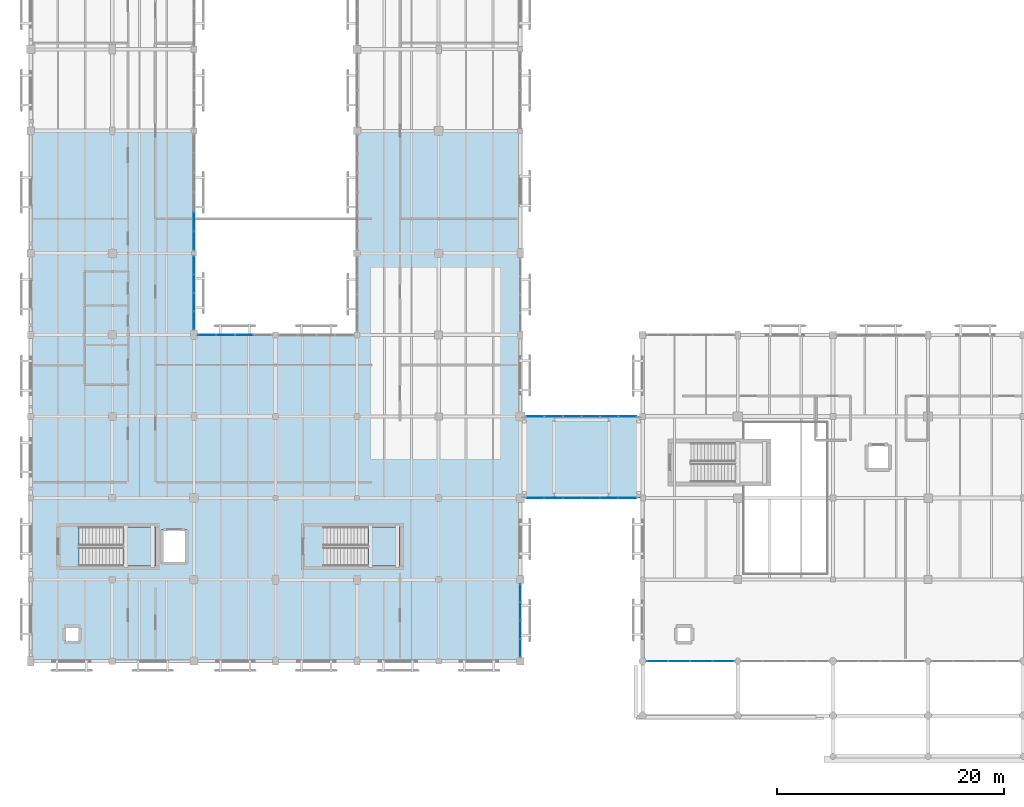
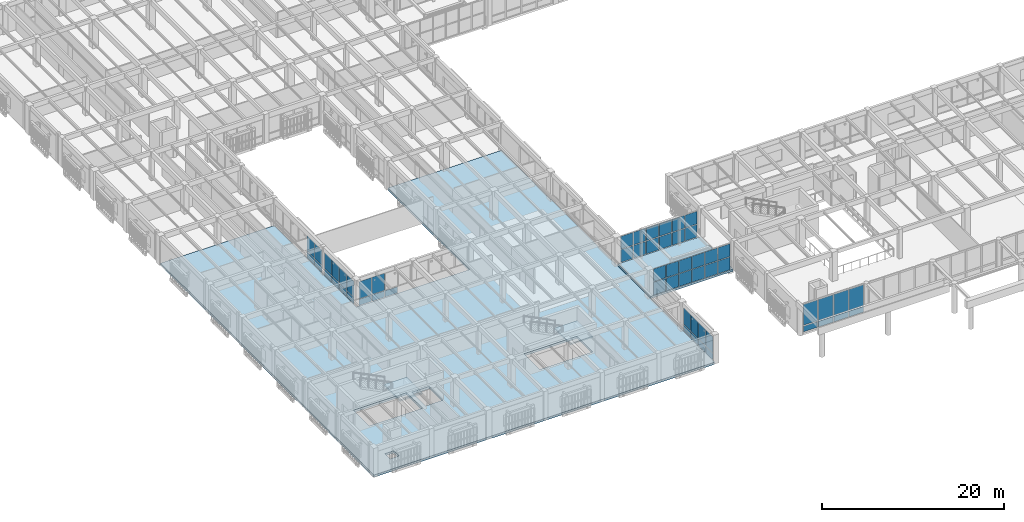
# One storey, part 116 of 170: 57 plates, 4 slabs, 9 elements without a shape of their own.
"""IFC4 building model written with IfcOpenShell, lengths in metres."""

from ifc_helpers import new_model, si_unit, direction, frame, origin, origin_2d, place, context, subcontext, project, spatial, polyline, rectangle, outline, extrude, material, layer, layer_set, type_object, element, aggregate, save


model = new_model("IFC4")

# Units and contexts
model_context = context("Model", 3, precision=1e-05, world=origin(), true_north=direction((0.0, 1.0)))
body_context = subcontext(model_context, "Body", "Model", "MODEL_VIEW")
ifc_project = project(units=[si_unit("LENGTHUNIT", "METRE"), si_unit("AREAUNIT", "SQUARE_METRE"), si_unit("VOLUMEUNIT", "CUBIC_METRE"), si_unit("PLANEANGLEUNIT", "RADIAN"), si_unit("MASSUNIT", "GRAM", prefix="KILO")], contexts=[model_context])

# Site, building, storey
site_placement = place(None, origin())
site = spatial("IfcSite", under=ifc_project, at=site_placement, CompositionType="ELEMENT")
building_placement = place(site_placement, origin())
building = spatial("IfcBuilding", under=site, at=building_placement, Name="Mazaris Harbour Polytechnic", CompositionType="ELEMENT")
storey_placement = place(building_placement, frame((0.0, 0.0, 5.39990234375)))
storey = spatial("IfcBuildingStorey", under=building, at=storey_placement, Name="L01", CompositionType="ELEMENT", Elevation=5.39990234375)

# Slab
ifc_material_1 = material(Name="Glulam GL28h and Concrete C30/37", Category="concrete")
ifc_layer_1 = layer(ifc_material_1, 0.264892578125, Name="Glulam GL28h and Concrete C30/37")
ifc_layer_set_1 = layer_set([ifc_layer_1], Name="Glulam GL28h and Concrete C30/37")
slab_type_1 = type_object("IfcSlabType", Name="CLT Composite Floor 265", PredefinedType="FLOOR", material=ifc_layer_set_1)
slab_1_placement = place(storey_placement, frame((0.0, 0.0, -0.264892578125)))
element("IfcSlab", 1, at=slab_1_placement, inside=storey, type_object=slab_type_1, Name="PB-W1 L01 Bridge Deck", PredefinedType="FLOOR", context=body_context, shape_type="SweptSolid", body=[
    extrude(outline(polyline([(53.85009765625, 21.60009765625), (53.85009765625, 28.800048828125), (43.35009765625, 28.800048828125), (43.35009765625, 21.60009765625), (53.85009765625, 21.60009765625)])), origin(), (0.0, 0.0, 1.0), 0.264892578125),
])

# Curtain wall, plates
ifc_material_2 = material(Name="Anodised Bronze Aluminium and Low-E Glass", Category="aluminium")
ifc_layer_2 = layer(ifc_material_2, 0.139892578125, Name="Anodised Bronze Aluminium and Low-E Glass")
ifc_layer_set_2 = layer_set([ifc_layer_2], Name="Anodised Bronze Aluminium and Low-E Glass")
curtain_wall_type_1 = type_object("IfcCurtainWallType", Name="Seismic Link Bridge Glazing", PredefinedType="NOTDEFINED", material=ifc_layer_set_2)
curtain_wall_1_placement = place(storey_placement, origin())
curtain_wall_1 = element("IfcCurtainWall", 2, at=curtain_wall_1_placement, inside=storey, type_object=curtain_wall_type_1, Name="PB-W1 L01 Bridge Glazing", PredefinedType="NOTDEFINED")
ifc_material_3 = material(Name="Anodised Bronze Insulated Panel")
ifc_layer_3 = layer(ifc_material_3, 0.0419921875, Name="Anodised Bronze Insulated Panel")
ifc_layer_set_3 = layer_set([ifc_layer_3], Name="Anodised Bronze Insulated Panel")
plate_type_1 = type_object("IfcPlateType", Name="Insulated Bronze Spandrel Panel 42", PredefinedType="CURTAIN_PANEL", material=ifc_layer_set_3)
plate_1_placement = place(storey_placement, frame((44.52001953125, 21.60009765625, 0.080078125), z_axis=(0.0, 0.0, 1.0), x_axis=(1.0, 0.0, 0.0)))
plate_1 = element("IfcPlate", 3, at=plate_1_placement, type_object=plate_type_1, Name="CW-05 panel 1.1", PredefinedType="CURTAIN_PANEL", context=body_context, shape_type="SweptSolid", body=[
    extrude(rectangle(XDim=1.52001953125, YDim=0.0419921875, at=origin_2d()), origin(), (0.0, 0.0, 1.0), 1.697509765625),
])
plate_2_placement = place(storey_placement, frame((44.52001953125, 21.60009765625, 1.857421875), z_axis=(0.0, 0.0, 1.0), x_axis=(1.0, 0.0, 0.0)))
plate_2 = element("IfcPlate", 4, at=plate_2_placement, type_object=plate_type_1, Name="CW-05 panel 1.2", PredefinedType="CURTAIN_PANEL", context=body_context, shape_type="SweptSolid", body=[
    extrude(rectangle(XDim=1.52001953125, YDim=0.0419921875, at=origin_2d()), origin(), (0.0, 0.0, 1.0), 1.697509765625),
])
plate_3_placement = place(storey_placement, frame((46.139892578125, 21.60009765625, 0.080078125), z_axis=(0.0, 0.0, 1.0), x_axis=(1.0, 0.0, 0.0)))
plate_3 = element("IfcPlate", 5, at=plate_3_placement, type_object=plate_type_1, Name="CW-05 panel 2.1", PredefinedType="CURTAIN_PANEL", context=body_context, shape_type="SweptSolid", body=[
    extrude(rectangle(XDim=1.56005859375, YDim=0.0419921875, at=origin_2d()), origin(), (0.0, 0.0, 1.0), 1.697509765625),
])
plate_4_placement = place(storey_placement, frame((46.139892578125, 21.60009765625, 1.857421875), z_axis=(0.0, 0.0, 1.0), x_axis=(1.0, 0.0, 0.0)))
plate_4 = element("IfcPlate", 6, at=plate_4_placement, type_object=plate_type_1, Name="CW-05 panel 2.2", PredefinedType="CURTAIN_PANEL", context=body_context, shape_type="SweptSolid", body=[
    extrude(rectangle(XDim=1.56005859375, YDim=0.0419921875, at=origin_2d()), origin(), (0.0, 0.0, 1.0), 1.697509765625),
])
plate_5_placement = place(storey_placement, frame((47.780029296875, 21.60009765625, 0.080078125), z_axis=(0.0, 0.0, 1.0), x_axis=(1.0, 0.0, 0.0)))
plate_5 = element("IfcPlate", 7, at=plate_5_placement, type_object=plate_type_1, Name="CW-05 panel 3.1", PredefinedType="CURTAIN_PANEL", context=body_context, shape_type="SweptSolid", body=[
    extrude(rectangle(XDim=1.56005859375, YDim=0.0419921875, at=origin_2d()), origin(), (0.0, 0.0, 1.0), 1.697509765625),
])
plate_6_placement = place(storey_placement, frame((47.780029296875, 21.60009765625, 1.857421875), z_axis=(0.0, 0.0, 1.0), x_axis=(1.0, 0.0, 0.0)))
plate_6 = element("IfcPlate", 8, at=plate_6_placement, type_object=plate_type_1, Name="CW-05 panel 3.2", PredefinedType="CURTAIN_PANEL", context=body_context, shape_type="SweptSolid", body=[
    extrude(rectangle(XDim=1.56005859375, YDim=0.0419921875, at=origin_2d()), origin(), (0.0, 0.0, 1.0), 1.697509765625),
])
plate_7_placement = place(storey_placement, frame((49.419921875, 21.60009765625, 0.080078125), z_axis=(0.0, 0.0, 1.0), x_axis=(1.0, 0.0, 0.0)))
plate_7 = element("IfcPlate", 9, at=plate_7_placement, type_object=plate_type_1, Name="CW-05 panel 4.1", PredefinedType="CURTAIN_PANEL", context=body_context, shape_type="SweptSolid", body=[
    extrude(rectangle(XDim=1.56005859375, YDim=0.0419921875, at=origin_2d()), origin(), (0.0, 0.0, 1.0), 1.697509765625),
])
plate_8_placement = place(storey_placement, frame((49.419921875, 21.60009765625, 1.857421875), z_axis=(0.0, 0.0, 1.0), x_axis=(1.0, 0.0, 0.0)))
plate_8 = element("IfcPlate", 10, at=plate_8_placement, type_object=plate_type_1, Name="CW-05 panel 4.2", PredefinedType="CURTAIN_PANEL", context=body_context, shape_type="SweptSolid", body=[
    extrude(rectangle(XDim=1.56005859375, YDim=0.0419921875, at=origin_2d()), origin(), (0.0, 0.0, 1.0), 1.697509765625),
])
plate_9_placement = place(storey_placement, frame((51.06005859375, 21.60009765625, 0.080078125), z_axis=(0.0, 0.0, 1.0), x_axis=(1.0, 0.0, 0.0)))
plate_9 = element("IfcPlate", 11, at=plate_9_placement, type_object=plate_type_1, Name="CW-05 panel 5.1", PredefinedType="CURTAIN_PANEL", context=body_context, shape_type="SweptSolid", body=[
    extrude(rectangle(XDim=1.56005859375, YDim=0.0419921875, at=origin_2d()), origin(), (0.0, 0.0, 1.0), 1.697509765625),
])
plate_10_placement = place(storey_placement, frame((51.06005859375, 21.60009765625, 1.857421875), z_axis=(0.0, 0.0, 1.0), x_axis=(1.0, 0.0, 0.0)))
plate_10 = element("IfcPlate", 12, at=plate_10_placement, type_object=plate_type_1, Name="CW-05 panel 5.2", PredefinedType="CURTAIN_PANEL", context=body_context, shape_type="SweptSolid", body=[
    extrude(rectangle(XDim=1.56005859375, YDim=0.0419921875, at=origin_2d()), origin(), (0.0, 0.0, 1.0), 1.697509765625),
])
plate_11_placement = place(storey_placement, frame((52.679931640625, 21.60009765625, 0.080078125), z_axis=(0.0, 0.0, 1.0), x_axis=(1.0, 0.0, 0.0)))
plate_11 = element("IfcPlate", 13, at=plate_11_placement, type_object=plate_type_1, Name="CW-05 panel 6.1", PredefinedType="CURTAIN_PANEL", context=body_context, shape_type="SweptSolid", body=[
    extrude(rectangle(XDim=1.52001953125, YDim=0.0419921875, at=origin_2d()), origin(), (0.0, 0.0, 1.0), 1.697509765625),
])
plate_12_placement = place(storey_placement, frame((52.679931640625, 21.60009765625, 1.857421875), z_axis=(0.0, 0.0, 1.0), x_axis=(1.0, 0.0, 0.0)))
plate_12 = element("IfcPlate", 14, at=plate_12_placement, type_object=plate_type_1, Name="CW-05 panel 6.2", PredefinedType="CURTAIN_PANEL", context=body_context, shape_type="SweptSolid", body=[
    extrude(rectangle(XDim=1.52001953125, YDim=0.0419921875, at=origin_2d()), origin(), (0.0, 0.0, 1.0), 1.697509765625),
])
aggregate(curtain_wall_1, [plate_1, plate_2, plate_3, plate_4, plate_5, plate_6, plate_7, plate_8, plate_9, plate_10, plate_11, plate_12])

ifc_material_4 = material(Name="Anodised Bronze Aluminium and Low-E Glass", Category="aluminium")
ifc_layer_4 = layer(ifc_material_4, 0.179931640625, Name="Anodised Bronze Aluminium and Low-E Glass")
ifc_layer_set_4 = layer_set([ifc_layer_4], Name="Anodised Bronze Aluminium and Low-E Glass")
curtain_wall_type_2 = type_object("IfcCurtainWallType", Name="Harbour Colonnade Curtain Wall", PredefinedType="NOTDEFINED", material=ifc_layer_set_4)
curtain_wall_2_placement = place(storey_placement, origin())
curtain_wall_2 = element("IfcCurtainWall", 15, at=curtain_wall_2_placement, inside=storey, type_object=curtain_wall_type_2, Name="V3 L01 Curtain Wall 68", PredefinedType="NOTDEFINED")
ifc_material_5 = material(Name="Low-E Double Glazing", Category="glass")
ifc_layer_5 = layer(ifc_material_5, 0.028076171875, Name="Low-E Double Glazing")
ifc_layer_set_5 = layer_set([ifc_layer_5], Name="Low-E Double Glazing")
plate_type_2 = type_object("IfcPlateType", Name="Low-E Vision Glass Panel 28", PredefinedType="CURTAIN_PANEL", material=ifc_layer_set_5)
plate_13_placement = place(storey_placement, frame((61.131103515625, 7.199951171875, 0.1201171875), z_axis=(0.0, 0.0, 1.0), x_axis=(-1.0, 0.0, 0.0)))
plate_13 = element("IfcPlate", 16, at=plate_13_placement, type_object=plate_type_2, Name="CW-01 panel 1.1", PredefinedType="CURTAIN_PANEL", context=body_context, shape_type="SweptSolid", body=[
    extrude(rectangle(XDim=1.803955078125, YDim=0.028076171875, at=origin_2d()), origin(), (0.0, 0.0, 1.0), 0.77001953125),
])
plate_14_placement = place(storey_placement, frame((61.131103515625, 7.199951171875, 1.010009765625), z_axis=(0.0, 0.0, 1.0), x_axis=(-1.0, 0.0, 0.0)))
plate_14 = element("IfcPlate", 17, at=plate_14_placement, type_object=plate_type_2, Name="CW-01 panel 1.2", PredefinedType="CURTAIN_PANEL", context=body_context, shape_type="SweptSolid", body=[
    extrude(rectangle(XDim=1.803955078125, YDim=0.028076171875, at=origin_2d()), origin(), (0.0, 0.0, 1.0), 2.7900390625),
])
plate_15_placement = place(storey_placement, frame((59.201904296875, 7.199951171875, 0.1201171875), z_axis=(0.0, 0.0, 1.0), x_axis=(-1.0, 0.0, 0.0)))
plate_15 = element("IfcPlate", 18, at=plate_15_placement, type_object=plate_type_2, Name="CW-01 panel 2.1", PredefinedType="CURTAIN_PANEL", context=body_context, shape_type="SweptSolid", body=[
    extrude(rectangle(XDim=1.85400390625, YDim=0.028076171875, at=origin_2d()), origin(), (0.0, 0.0, 1.0), 0.77001953125),
])
plate_16_placement = place(storey_placement, frame((59.201904296875, 7.199951171875, 1.010009765625), z_axis=(0.0, 0.0, 1.0), x_axis=(-1.0, 0.0, 0.0)))
plate_16 = element("IfcPlate", 19, at=plate_16_placement, type_object=plate_type_2, Name="CW-01 panel 2.2", PredefinedType="CURTAIN_PANEL", context=body_context, shape_type="SweptSolid", body=[
    extrude(rectangle(XDim=1.85400390625, YDim=0.028076171875, at=origin_2d()), origin(), (0.0, 0.0, 1.0), 2.7900390625),
])
plate_17_placement = place(storey_placement, frame((57.248046875, 7.199951171875, 0.1201171875), z_axis=(0.0, 0.0, 1.0), x_axis=(-1.0, 0.0, 0.0)))
plate_17 = element("IfcPlate", 20, at=plate_17_placement, type_object=plate_type_2, Name="CW-01 panel 3.1", PredefinedType="CURTAIN_PANEL", context=body_context, shape_type="SweptSolid", body=[
    extrude(rectangle(XDim=1.85400390625, YDim=0.028076171875, at=origin_2d()), origin(), (0.0, 0.0, 1.0), 0.77001953125),
])
plate_18_placement = place(storey_placement, frame((57.248046875, 7.199951171875, 1.010009765625), z_axis=(0.0, 0.0, 1.0), x_axis=(-1.0, 0.0, 0.0)))
plate_18 = element("IfcPlate", 21, at=plate_18_placement, type_object=plate_type_2, Name="CW-01 panel 3.2", PredefinedType="CURTAIN_PANEL", context=body_context, shape_type="SweptSolid", body=[
    extrude(rectangle(XDim=1.85400390625, YDim=0.028076171875, at=origin_2d()), origin(), (0.0, 0.0, 1.0), 2.7900390625),
])
plate_19_placement = place(storey_placement, frame((55.319091796875, 7.199951171875, 0.1201171875), z_axis=(0.0, 0.0, 1.0), x_axis=(-1.0, 0.0, 0.0)))
plate_19 = element("IfcPlate", 22, at=plate_19_placement, type_object=plate_type_2, Name="CW-01 panel 4.1", PredefinedType="CURTAIN_PANEL", context=body_context, shape_type="SweptSolid", body=[
    extrude(rectangle(XDim=1.803955078125, YDim=0.028076171875, at=origin_2d()), origin(), (0.0, 0.0, 1.0), 0.77001953125),
])
plate_20_placement = place(storey_placement, frame((55.319091796875, 7.199951171875, 1.010009765625), z_axis=(0.0, 0.0, 1.0), x_axis=(-1.0, 0.0, 0.0)))
plate_20 = element("IfcPlate", 23, at=plate_20_placement, type_object=plate_type_2, Name="CW-01 panel 4.2", PredefinedType="CURTAIN_PANEL", context=body_context, shape_type="SweptSolid", body=[
    extrude(rectangle(XDim=1.803955078125, YDim=0.028076171875, at=origin_2d()), origin(), (0.0, 0.0, 1.0), 2.7900390625),
])
aggregate(curtain_wall_2, [plate_13, plate_14, plate_15, plate_16, plate_17, plate_18, plate_19, plate_20])

ifc_material_6 = material(Name="Anodised Bronze Aluminium and Low-E Glass", Category="aluminium")
ifc_layer_6 = layer(ifc_material_6, 0.159912109375, Name="Anodised Bronze Aluminium and Low-E Glass")
ifc_layer_set_6 = layer_set([ifc_layer_6], Name="Anodised Bronze Aluminium and Low-E Glass")
curtain_wall_type_3 = type_object("IfcCurtainWallType", Name="Cloister Court Curtain Wall", PredefinedType="NOTDEFINED", material=ifc_layer_set_6)
curtain_wall_3_placement = place(storey_placement, origin())
curtain_wall_3 = element("IfcCurtainWall", 24, at=curtain_wall_3_placement, inside=storey, type_object=curtain_wall_type_3, Name="V4 L01 Curtain Wall 111", PredefinedType="NOTDEFINED")
plate_21_placement = place(storey_placement, frame((43.199951171875, 13.220458984375, 0.080078125), z_axis=(0.0, 0.0, 1.0), x_axis=(0.0, -1.0, 0.0)))
plate_21 = element("IfcPlate", 25, at=plate_21_placement, type_object=plate_type_2, Name="CW-02 panel 1.1", PredefinedType="CURTAIN_PANEL", context=body_context, shape_type="SweptSolid", body=[
    extrude(rectangle(XDim=1.51513671875, YDim=0.028076171875, at=origin_2d()), origin(), (0.0, 0.0, 1.0), 0.830078125),
])
plate_22_placement = place(storey_placement, frame((43.199951171875, 13.220458984375, 0.990234375), z_axis=(0.0, 0.0, 1.0), x_axis=(0.0, -1.0, 0.0)))
plate_22 = element("IfcPlate", 26, at=plate_22_placement, type_object=plate_type_2, Name="CW-02 panel 1.2", PredefinedType="CURTAIN_PANEL", context=body_context, shape_type="SweptSolid", body=[
    extrude(rectangle(XDim=1.51513671875, YDim=0.028076171875, at=origin_2d()), origin(), (0.0, 0.0, 1.0), 2.169921875),
])
plate_23_placement = place(storey_placement, frame((43.199951171875, 11.605224609375, 0.080078125), z_axis=(0.0, 0.0, 1.0), x_axis=(0.0, -1.0, 0.0)))
plate_23 = element("IfcPlate", 27, at=plate_23_placement, type_object=plate_type_2, Name="CW-02 panel 2.1", PredefinedType="CURTAIN_PANEL", context=body_context, shape_type="SweptSolid", body=[
    extrude(rectangle(XDim=1.55517578125, YDim=0.028076171875, at=origin_2d()), origin(), (0.0, 0.0, 1.0), 0.830078125),
])
plate_24_placement = place(storey_placement, frame((43.199951171875, 11.605224609375, 0.990234375), z_axis=(0.0, 0.0, 1.0), x_axis=(0.0, -1.0, 0.0)))
plate_24 = element("IfcPlate", 28, at=plate_24_placement, type_object=plate_type_2, Name="CW-02 panel 2.2", PredefinedType="CURTAIN_PANEL", context=body_context, shape_type="SweptSolid", body=[
    extrude(rectangle(XDim=1.55517578125, YDim=0.028076171875, at=origin_2d()), origin(), (0.0, 0.0, 1.0), 2.169921875),
])
plate_25_placement = place(storey_placement, frame((43.199951171875, 9.969970703125, 0.080078125), z_axis=(0.0, 0.0, 1.0), x_axis=(0.0, -1.0, 0.0)))
plate_25 = element("IfcPlate", 29, at=plate_25_placement, type_object=plate_type_2, Name="CW-02 panel 3.1", PredefinedType="CURTAIN_PANEL", context=body_context, shape_type="SweptSolid", body=[
    extrude(rectangle(XDim=1.55517578125, YDim=0.028076171875, at=origin_2d()), origin(), (0.0, 0.0, 1.0), 0.830078125),
])
plate_26_placement = place(storey_placement, frame((43.199951171875, 9.969970703125, 0.990234375), z_axis=(0.0, 0.0, 1.0), x_axis=(0.0, -1.0, 0.0)))
plate_26 = element("IfcPlate", 30, at=plate_26_placement, type_object=plate_type_2, Name="CW-02 panel 3.2", PredefinedType="CURTAIN_PANEL", context=body_context, shape_type="SweptSolid", body=[
    extrude(rectangle(XDim=1.55517578125, YDim=0.028076171875, at=origin_2d()), origin(), (0.0, 0.0, 1.0), 2.169921875),
])
plate_27_placement = place(storey_placement, frame((43.199951171875, 8.354736328125, 0.080078125), z_axis=(0.0, 0.0, 1.0), x_axis=(0.0, -1.0, 0.0)))
plate_27 = element("IfcPlate", 31, at=plate_27_placement, type_object=plate_type_2, Name="CW-02 panel 4.1", PredefinedType="CURTAIN_PANEL", context=body_context, shape_type="SweptSolid", body=[
    extrude(rectangle(XDim=1.51513671875, YDim=0.028076171875, at=origin_2d()), origin(), (0.0, 0.0, 1.0), 0.830078125),
])
plate_28_placement = place(storey_placement, frame((43.199951171875, 8.354736328125, 0.990234375), z_axis=(0.0, 0.0, 1.0), x_axis=(0.0, -1.0, 0.0)))
plate_28 = element("IfcPlate", 32, at=plate_28_placement, type_object=plate_type_2, Name="CW-02 panel 4.2", PredefinedType="CURTAIN_PANEL", context=body_context, shape_type="SweptSolid", body=[
    extrude(rectangle(XDim=1.51513671875, YDim=0.028076171875, at=origin_2d()), origin(), (0.0, 0.0, 1.0), 2.169921875),
])
aggregate(curtain_wall_3, [plate_21, plate_22, plate_23, plate_24, plate_25, plate_26, plate_27, plate_28])

curtain_wall_4_placement = place(storey_placement, origin())
curtain_wall_4 = element("IfcCurtainWall", 33, at=curtain_wall_4_placement, inside=storey, type_object=curtain_wall_type_3, Name="V4 L01 Curtain Wall 116", PredefinedType="NOTDEFINED")
plate_29_placement = place(storey_placement, frame((15.542236328125, 36.0, 0.080078125), z_axis=(0.0, 0.0, 1.0), x_axis=(1.0, 0.0, 0.0)))
plate_29 = element("IfcPlate", 34, at=plate_29_placement, type_object=plate_type_2, Name="CW-02 panel 1.1", PredefinedType="CURTAIN_PANEL", context=body_context, shape_type="SweptSolid", body=[
    extrude(rectangle(XDim=1.540283203125, YDim=0.028076171875, at=origin_2d()), origin(), (0.0, 0.0, 1.0), 0.830078125),
])
plate_30_placement = place(storey_placement, frame((15.542236328125, 36.0, 0.989990234375), z_axis=(0.0, 0.0, 1.0), x_axis=(1.0, 0.0, 0.0)))
plate_30 = element("IfcPlate", 35, at=plate_30_placement, type_object=plate_type_2, Name="CW-02 panel 1.2", PredefinedType="CURTAIN_PANEL", context=body_context, shape_type="SweptSolid", body=[
    extrude(rectangle(XDim=1.540283203125, YDim=0.028076171875, at=origin_2d()), origin(), (0.0, 0.0, 1.0), 2.2900390625),
])
plate_31_placement = place(storey_placement, frame((17.182373046875, 36.0, 0.080078125), z_axis=(0.0, 0.0, 1.0), x_axis=(1.0, 0.0, 0.0)))
plate_31 = element("IfcPlate", 36, at=plate_31_placement, type_object=plate_type_2, Name="CW-02 panel 2.1", PredefinedType="CURTAIN_PANEL", context=body_context, shape_type="SweptSolid", body=[
    extrude(rectangle(XDim=1.580322265625, YDim=0.028076171875, at=origin_2d()), origin(), (0.0, 0.0, 1.0), 0.830078125),
])
plate_32_placement = place(storey_placement, frame((17.182373046875, 36.0, 0.989990234375), z_axis=(0.0, 0.0, 1.0), x_axis=(1.0, 0.0, 0.0)))
plate_32 = element("IfcPlate", 37, at=plate_32_placement, type_object=plate_type_2, Name="CW-02 panel 2.2", PredefinedType="CURTAIN_PANEL", context=body_context, shape_type="SweptSolid", body=[
    extrude(rectangle(XDim=1.580322265625, YDim=0.028076171875, at=origin_2d()), origin(), (0.0, 0.0, 1.0), 2.2900390625),
])
plate_33_placement = place(storey_placement, frame((18.842529296875, 36.0, 0.080078125), z_axis=(0.0, 0.0, 1.0), x_axis=(1.0, 0.0, 0.0)))
plate_33 = element("IfcPlate", 38, at=plate_33_placement, type_object=plate_type_2, Name="CW-02 panel 3.1", PredefinedType="CURTAIN_PANEL", context=body_context, shape_type="SweptSolid", body=[
    extrude(rectangle(XDim=1.580322265625, YDim=0.028076171875, at=origin_2d()), origin(), (0.0, 0.0, 1.0), 0.830078125),
])
aggregate(curtain_wall_4, [plate_29, plate_30, plate_31, plate_32, plate_33])

curtain_wall_5_placement = place(storey_placement, origin())
curtain_wall_5 = element("IfcCurtainWall", 39, at=curtain_wall_5_placement, inside=storey, type_object=curtain_wall_type_3, Name="V4 L01 Curtain Wall 120", PredefinedType="NOTDEFINED")
plate_34_placement = place(storey_placement, frame((14.39990234375, 37.2578125, 0.080078125), z_axis=(0.0, 0.0, 1.0), x_axis=(0.0, 1.0, 0.0)))
plate_34 = element("IfcPlate", 40, at=plate_34_placement, type_object=plate_type_2, Name="CW-02 panel 1.1", PredefinedType="CURTAIN_PANEL", context=body_context, shape_type="SweptSolid", body=[
    extrude(rectangle(XDim=1.521484375, YDim=0.028076171875, at=origin_2d()), origin(), (0.0, 0.0, 1.0), 0.830078125),
])
plate_35_placement = place(storey_placement, frame((14.39990234375, 37.2578125, 0.990234375), z_axis=(0.0, 0.0, 1.0), x_axis=(0.0, 1.0, 0.0)))
plate_35 = element("IfcPlate", 41, at=plate_35_placement, type_object=plate_type_2, Name="CW-02 panel 1.2", PredefinedType="CURTAIN_PANEL", context=body_context, shape_type="SweptSolid", body=[
    extrude(rectangle(XDim=1.521484375, YDim=0.028076171875, at=origin_2d()), origin(), (0.0, 0.0, 1.0), 2.1298828125),
])
plate_36_placement = place(storey_placement, frame((14.39990234375, 38.879150390625, 0.080078125), z_axis=(0.0, 0.0, 1.0), x_axis=(0.0, 1.0, 0.0)))
plate_36 = element("IfcPlate", 42, at=plate_36_placement, type_object=plate_type_2, Name="CW-02 panel 2.1", PredefinedType="CURTAIN_PANEL", context=body_context, shape_type="SweptSolid", body=[
    extrude(rectangle(XDim=1.5615234375, YDim=0.028076171875, at=origin_2d()), origin(), (0.0, 0.0, 1.0), 0.830078125),
])
plate_37_placement = place(storey_placement, frame((14.39990234375, 38.879150390625, 0.990234375), z_axis=(0.0, 0.0, 1.0), x_axis=(0.0, 1.0, 0.0)))
plate_37 = element("IfcPlate", 43, at=plate_37_placement, type_object=plate_type_2, Name="CW-02 panel 2.2", PredefinedType="CURTAIN_PANEL", context=body_context, shape_type="SweptSolid", body=[
    extrude(rectangle(XDim=1.5615234375, YDim=0.028076171875, at=origin_2d()), origin(), (0.0, 0.0, 1.0), 2.1298828125),
])
plate_38_placement = place(storey_placement, frame((14.39990234375, 40.520751953125, 0.080078125), z_axis=(0.0, 0.0, 1.0), x_axis=(0.0, 1.0, 0.0)))
plate_38 = element("IfcPlate", 44, at=plate_38_placement, type_object=plate_type_2, Name="CW-02 panel 3.1", PredefinedType="CURTAIN_PANEL", context=body_context, shape_type="SweptSolid", body=[
    extrude(rectangle(XDim=1.5615234375, YDim=0.028076171875, at=origin_2d()), origin(), (0.0, 0.0, 1.0), 0.830078125),
])
plate_39_placement = place(storey_placement, frame((14.39990234375, 40.520751953125, 0.990234375), z_axis=(0.0, 0.0, 1.0), x_axis=(0.0, 1.0, 0.0)))
plate_39 = element("IfcPlate", 45, at=plate_39_placement, type_object=plate_type_2, Name="CW-02 panel 3.2", PredefinedType="CURTAIN_PANEL", context=body_context, shape_type="SweptSolid", body=[
    extrude(rectangle(XDim=1.5615234375, YDim=0.028076171875, at=origin_2d()), origin(), (0.0, 0.0, 1.0), 2.1298828125),
])
plate_40_placement = place(storey_placement, frame((14.39990234375, 42.142333984375, 0.080078125), z_axis=(0.0, 0.0, 1.0), x_axis=(0.0, 1.0, 0.0)))
plate_40 = element("IfcPlate", 46, at=plate_40_placement, type_object=plate_type_2, Name="CW-02 panel 4.1", PredefinedType="CURTAIN_PANEL", context=body_context, shape_type="SweptSolid", body=[
    extrude(rectangle(XDim=1.521484375, YDim=0.028076171875, at=origin_2d()), origin(), (0.0, 0.0, 1.0), 0.830078125),
])
plate_41_placement = place(storey_placement, frame((14.39990234375, 42.142333984375, 0.990234375), z_axis=(0.0, 0.0, 1.0), x_axis=(0.0, 1.0, 0.0)))
plate_41 = element("IfcPlate", 47, at=plate_41_placement, type_object=plate_type_2, Name="CW-02 panel 4.2", PredefinedType="CURTAIN_PANEL", context=body_context, shape_type="SweptSolid", body=[
    extrude(rectangle(XDim=1.521484375, YDim=0.028076171875, at=origin_2d()), origin(), (0.0, 0.0, 1.0), 2.1298828125),
])
aggregate(curtain_wall_5, [plate_34, plate_35, plate_36, plate_37, plate_38, plate_39, plate_40, plate_41])

curtain_wall_6_placement = place(storey_placement, origin())
curtain_wall_6 = element("IfcCurtainWall", 48, at=curtain_wall_6_placement, inside=storey, type_object=curtain_wall_type_3, Name="V4 L01 Curtain Wall 121", PredefinedType="NOTDEFINED")
plate_42_placement = place(storey_placement, frame((14.39990234375, 44.298828125, 0.080078125), z_axis=(0.0, 0.0, 1.0), x_axis=(0.0, 1.0, 0.0)))
plate_42 = element("IfcPlate", 49, at=plate_42_placement, type_object=plate_type_2, Name="CW-02 panel 1.1", PredefinedType="CURTAIN_PANEL", context=body_context, shape_type="SweptSolid", body=[
    extrude(rectangle(XDim=1.603515625, YDim=0.028076171875, at=origin_2d()), origin(), (0.0, 0.0, 1.0), 0.830078125),
])
plate_43_placement = place(storey_placement, frame((14.39990234375, 44.298828125, 0.990234375), z_axis=(0.0, 0.0, 1.0), x_axis=(0.0, 1.0, 0.0)))
plate_43 = element("IfcPlate", 50, at=plate_43_placement, type_object=plate_type_2, Name="CW-02 panel 1.2", PredefinedType="CURTAIN_PANEL", context=body_context, shape_type="SweptSolid", body=[
    extrude(rectangle(XDim=1.603515625, YDim=0.028076171875, at=origin_2d()), origin(), (0.0, 0.0, 1.0), 2.070068359375),
])
plate_44_placement = place(storey_placement, frame((14.39990234375, 46.002197265625, 0.080078125), z_axis=(0.0, 0.0, 1.0), x_axis=(0.0, 1.0, 0.0)))
plate_44 = element("IfcPlate", 51, at=plate_44_placement, type_object=plate_type_2, Name="CW-02 panel 2.1", PredefinedType="CURTAIN_PANEL", context=body_context, shape_type="SweptSolid", body=[
    extrude(rectangle(XDim=1.6435546875, YDim=0.028076171875, at=origin_2d()), origin(), (0.0, 0.0, 1.0), 0.830078125),
])
plate_45_placement = place(storey_placement, frame((14.39990234375, 46.002197265625, 0.990234375), z_axis=(0.0, 0.0, 1.0), x_axis=(0.0, 1.0, 0.0)))
plate_45 = element("IfcPlate", 52, at=plate_45_placement, type_object=plate_type_2, Name="CW-02 panel 2.2", PredefinedType="CURTAIN_PANEL", context=body_context, shape_type="SweptSolid", body=[
    extrude(rectangle(XDim=1.6435546875, YDim=0.028076171875, at=origin_2d()), origin(), (0.0, 0.0, 1.0), 2.070068359375),
])
aggregate(curtain_wall_6, [plate_42, plate_43, plate_44, plate_45])

curtain_wall_7_placement = place(storey_placement, origin())
curtain_wall_7 = element("IfcCurtainWall", 53, at=curtain_wall_7_placement, inside=storey, type_object=curtain_wall_type_1, Name="PB-W1 L01 Bridge Glazing", PredefinedType="NOTDEFINED")
plate_46_placement = place(storey_placement, frame((52.679931640625, 28.800048828125, 0.080078125), z_axis=(0.0, 0.0, 1.0), x_axis=(-1.0, 0.0, 0.0)))
plate_46 = element("IfcPlate", 54, at=plate_46_placement, type_object=plate_type_2, Name="CW-05 panel 1.1", PredefinedType="CURTAIN_PANEL", context=body_context, shape_type="SweptSolid", body=[
    extrude(rectangle(XDim=1.52001953125, YDim=0.028076171875, at=origin_2d()), origin(), (0.0, 0.0, 1.0), 1.697509765625),
])
plate_47_placement = place(storey_placement, frame((52.679931640625, 28.800048828125, 1.857421875), z_axis=(0.0, 0.0, 1.0), x_axis=(-1.0, 0.0, 0.0)))
plate_47 = element("IfcPlate", 55, at=plate_47_placement, type_object=plate_type_2, Name="CW-05 panel 1.2", PredefinedType="CURTAIN_PANEL", context=body_context, shape_type="SweptSolid", body=[
    extrude(rectangle(XDim=1.52001953125, YDim=0.028076171875, at=origin_2d()), origin(), (0.0, 0.0, 1.0), 1.697509765625),
])
plate_48_placement = place(storey_placement, frame((51.06005859375, 28.800048828125, 0.080078125), z_axis=(0.0, 0.0, 1.0), x_axis=(-1.0, 0.0, 0.0)))
plate_48 = element("IfcPlate", 56, at=plate_48_placement, type_object=plate_type_2, Name="CW-05 panel 2.1", PredefinedType="CURTAIN_PANEL", context=body_context, shape_type="SweptSolid", body=[
    extrude(rectangle(XDim=1.56005859375, YDim=0.028076171875, at=origin_2d()), origin(), (0.0, 0.0, 1.0), 1.697509765625),
])
plate_49_placement = place(storey_placement, frame((51.06005859375, 28.800048828125, 1.857421875), z_axis=(0.0, 0.0, 1.0), x_axis=(-1.0, 0.0, 0.0)))
plate_49 = element("IfcPlate", 57, at=plate_49_placement, type_object=plate_type_2, Name="CW-05 panel 2.2", PredefinedType="CURTAIN_PANEL", context=body_context, shape_type="SweptSolid", body=[
    extrude(rectangle(XDim=1.56005859375, YDim=0.028076171875, at=origin_2d()), origin(), (0.0, 0.0, 1.0), 1.697509765625),
])
plate_50_placement = place(storey_placement, frame((49.419921875, 28.800048828125, 0.080078125), z_axis=(0.0, 0.0, 1.0), x_axis=(-1.0, 0.0, 0.0)))
plate_50 = element("IfcPlate", 58, at=plate_50_placement, type_object=plate_type_2, Name="CW-05 panel 3.1", PredefinedType="CURTAIN_PANEL", context=body_context, shape_type="SweptSolid", body=[
    extrude(rectangle(XDim=1.56005859375, YDim=0.028076171875, at=origin_2d()), origin(), (0.0, 0.0, 1.0), 1.697509765625),
])
plate_51_placement = place(storey_placement, frame((49.419921875, 28.800048828125, 1.857421875), z_axis=(0.0, 0.0, 1.0), x_axis=(-1.0, 0.0, 0.0)))
plate_51 = element("IfcPlate", 59, at=plate_51_placement, type_object=plate_type_2, Name="CW-05 panel 3.2", PredefinedType="CURTAIN_PANEL", context=body_context, shape_type="SweptSolid", body=[
    extrude(rectangle(XDim=1.56005859375, YDim=0.028076171875, at=origin_2d()), origin(), (0.0, 0.0, 1.0), 1.697509765625),
])
plate_52_placement = place(storey_placement, frame((47.780029296875, 28.800048828125, 0.080078125), z_axis=(0.0, 0.0, 1.0), x_axis=(-1.0, 0.0, 0.0)))
plate_52 = element("IfcPlate", 60, at=plate_52_placement, type_object=plate_type_2, Name="CW-05 panel 4.1", PredefinedType="CURTAIN_PANEL", context=body_context, shape_type="SweptSolid", body=[
    extrude(rectangle(XDim=1.56005859375, YDim=0.028076171875, at=origin_2d()), origin(), (0.0, 0.0, 1.0), 1.697509765625),
])
plate_53_placement = place(storey_placement, frame((47.780029296875, 28.800048828125, 1.857421875), z_axis=(0.0, 0.0, 1.0), x_axis=(-1.0, 0.0, 0.0)))
plate_53 = element("IfcPlate", 61, at=plate_53_placement, type_object=plate_type_2, Name="CW-05 panel 4.2", PredefinedType="CURTAIN_PANEL", context=body_context, shape_type="SweptSolid", body=[
    extrude(rectangle(XDim=1.56005859375, YDim=0.028076171875, at=origin_2d()), origin(), (0.0, 0.0, 1.0), 1.697509765625),
])
plate_54_placement = place(storey_placement, frame((46.139892578125, 28.800048828125, 0.080078125), z_axis=(0.0, 0.0, 1.0), x_axis=(-1.0, 0.0, 0.0)))
plate_54 = element("IfcPlate", 62, at=plate_54_placement, type_object=plate_type_2, Name="CW-05 panel 5.1", PredefinedType="CURTAIN_PANEL", context=body_context, shape_type="SweptSolid", body=[
    extrude(rectangle(XDim=1.56005859375, YDim=0.028076171875, at=origin_2d()), origin(), (0.0, 0.0, 1.0), 1.697509765625),
])
plate_55_placement = place(storey_placement, frame((46.139892578125, 28.800048828125, 1.857421875), z_axis=(0.0, 0.0, 1.0), x_axis=(-1.0, 0.0, 0.0)))
plate_55 = element("IfcPlate", 63, at=plate_55_placement, type_object=plate_type_2, Name="CW-05 panel 5.2", PredefinedType="CURTAIN_PANEL", context=body_context, shape_type="SweptSolid", body=[
    extrude(rectangle(XDim=1.56005859375, YDim=0.028076171875, at=origin_2d()), origin(), (0.0, 0.0, 1.0), 1.697509765625),
])
plate_56_placement = place(storey_placement, frame((44.52001953125, 28.800048828125, 0.080078125), z_axis=(0.0, 0.0, 1.0), x_axis=(-1.0, 0.0, 0.0)))
plate_56 = element("IfcPlate", 64, at=plate_56_placement, type_object=plate_type_2, Name="CW-05 panel 6.1", PredefinedType="CURTAIN_PANEL", context=body_context, shape_type="SweptSolid", body=[
    extrude(rectangle(XDim=1.52001953125, YDim=0.028076171875, at=origin_2d()), origin(), (0.0, 0.0, 1.0), 1.697509765625),
])
plate_57_placement = place(storey_placement, frame((44.52001953125, 28.800048828125, 1.857421875), z_axis=(0.0, 0.0, 1.0), x_axis=(-1.0, 0.0, 0.0)))
plate_57 = element("IfcPlate", 65, at=plate_57_placement, type_object=plate_type_2, Name="CW-05 panel 6.2", PredefinedType="CURTAIN_PANEL", context=body_context, shape_type="SweptSolid", body=[
    extrude(rectangle(XDim=1.52001953125, YDim=0.028076171875, at=origin_2d()), origin(), (0.0, 0.0, 1.0), 1.697509765625),
])
aggregate(curtain_wall_7, [plate_46, plate_47, plate_48, plate_49, plate_50, plate_51, plate_52, plate_53, plate_54, plate_55, plate_56, plate_57])

# Slab
ifc_material_7 = material(Name="Concrete C35/45", Category="concrete")
ifc_layer_7 = layer(ifc_material_7, 0.300048828125, Name="Concrete C35/45")
ifc_layer_set_7 = layer_set([ifc_layer_7], Name="Concrete C35/45")
slab_type_2 = type_object("IfcSlabType", Name="RC Podium Slab 300", PredefinedType="FLOOR", material=ifc_layer_set_7)
slab_2_placement = place(storey_placement, frame((0.0, 0.0, -0.2998046875)))
element("IfcSlab", 66, at=slab_2_placement, inside=storey, type_object=slab_type_2, Name="V4 L01 Floor Slab", PredefinedType="FLOOR", context=body_context, shape_type="SweptSolid", body=[
    extrude(outline(polyline([(43.199951171875, 7.199951171875), (0.0, 7.199951171875), (0.0, 54.0), (14.39990234375, 54.0), (14.39990234375, 36.0), (28.800048828125, 36.0), (28.800048828125, 54.0), (43.199951171875, 54.0), (43.199951171875, 7.199951171875)]), holes=[polyline([(4.27490234375, 15.60009765625), (11.0, 15.60009765625), (11.0, 19.050048828125), (4.27490234375, 19.050048828125), (4.27490234375, 15.60009765625)]), polyline([(25.875, 19.050048828125), (25.875, 15.60009765625), (32.60009765625, 15.60009765625), (32.60009765625, 19.050048828125), (25.875, 19.050048828125)]), polyline([(13.75, 18.824951171875), (11.550048828125, 18.824951171875), (11.550048828125, 15.824951171875), (13.75, 15.824951171875), (13.75, 18.824951171875)]), polyline([(3.10009765625, 9.0), (4.219970703125, 9.0), (4.219970703125, 10.1201171875), (3.10009765625, 10.1201171875), (3.10009765625, 9.0)])]), origin(), (0.0, 0.0, 1.0), 0.2998046875),
])

# Stair, slab
ifc_material_8 = material(Name="Concrete C40/50", Category="concrete")
stair_type = type_object("IfcStairType", Name="Core Exit Stair H4200", PredefinedType="HALF_TURN_STAIR", material=ifc_material_8)
stair_1_placement = place(storey_placement, origin())
stair_1 = element("IfcStair", 67, at=stair_1_placement, inside=storey, type_object=stair_type, Name="L01 ST07", PredefinedType="HALF_TURN_STAIR")
ifc_material_9 = material(Name="Concrete C40/50", Category="concrete")
ifc_layer_8 = layer(ifc_material_9, 0.199951171875, Name="Concrete C40/50")
ifc_layer_set_8 = layer_set([ifc_layer_8], Name="Concrete C40/50")
slab_type_3 = type_object("IfcSlabType", Name="RC Stair Landing 200", PredefinedType="LANDING", material=ifc_layer_set_8)
slab_3_placement = place(storey_placement, frame((0.0, 0.0, 1.900146484375)))
slab_3 = element("IfcSlab", 68, at=slab_3_placement, type_object=slab_type_3, Name="ST07 landing 1", PredefinedType="LANDING", context=body_context, shape_type="SweptSolid", body=[
    extrude(outline(polyline([(8.14990234375, 15.60009765625), (11.0, 15.60009765625), (11.0, 19.050048828125), (8.14990234375, 19.050048828125), (8.14990234375, 15.60009765625)])), origin(), (0.0, 0.0, 1.0), 0.199951171875),
])
aggregate(stair_1, [slab_3])

stair_2_placement = place(storey_placement, origin())
stair_2 = element("IfcStair", 69, at=stair_2_placement, inside=storey, type_object=stair_type, Name="L01 ST08", PredefinedType="HALF_TURN_STAIR")
slab_4_placement = place(storey_placement, frame((0.0, 0.0, 1.900146484375)))
slab_4 = element("IfcSlab", 70, at=slab_4_placement, type_object=slab_type_3, Name="ST08 landing 1", PredefinedType="LANDING", context=body_context, shape_type="SweptSolid", body=[
    extrude(outline(polyline([(29.75, 15.60009765625), (32.60009765625, 15.60009765625), (32.60009765625, 19.050048828125), (29.75, 19.050048828125), (29.75, 15.60009765625)])), origin(), (0.0, 0.0, 1.0), 0.199951171875),
])
aggregate(stair_2, [slab_4])

save(model, "model.ifc")
